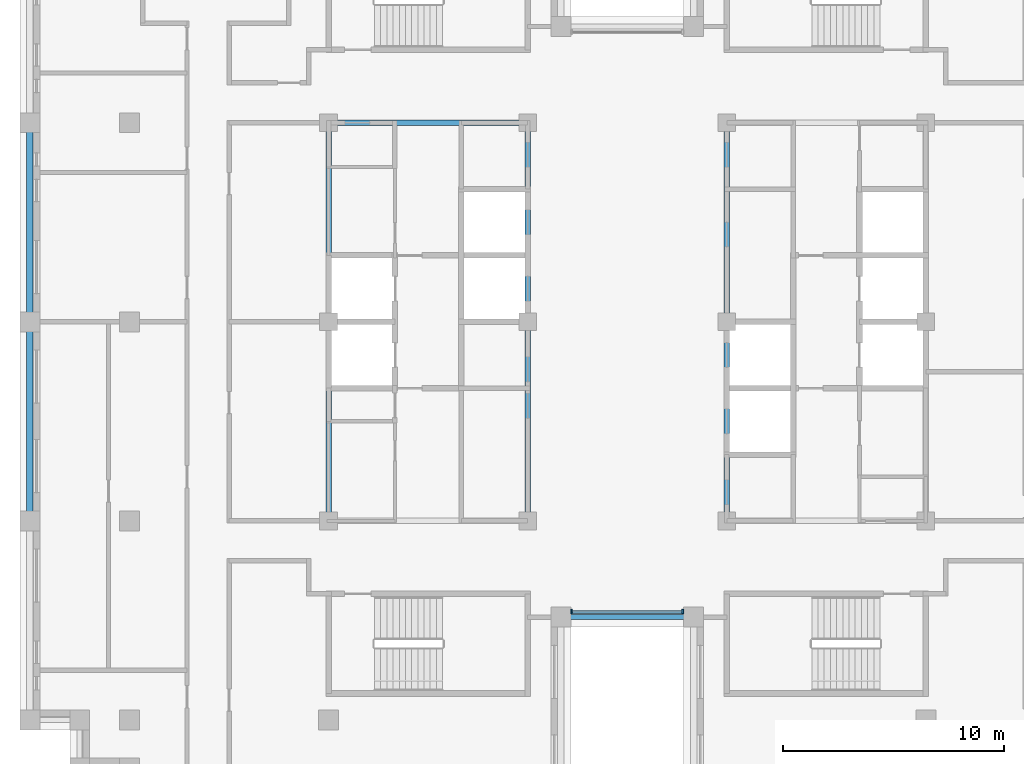
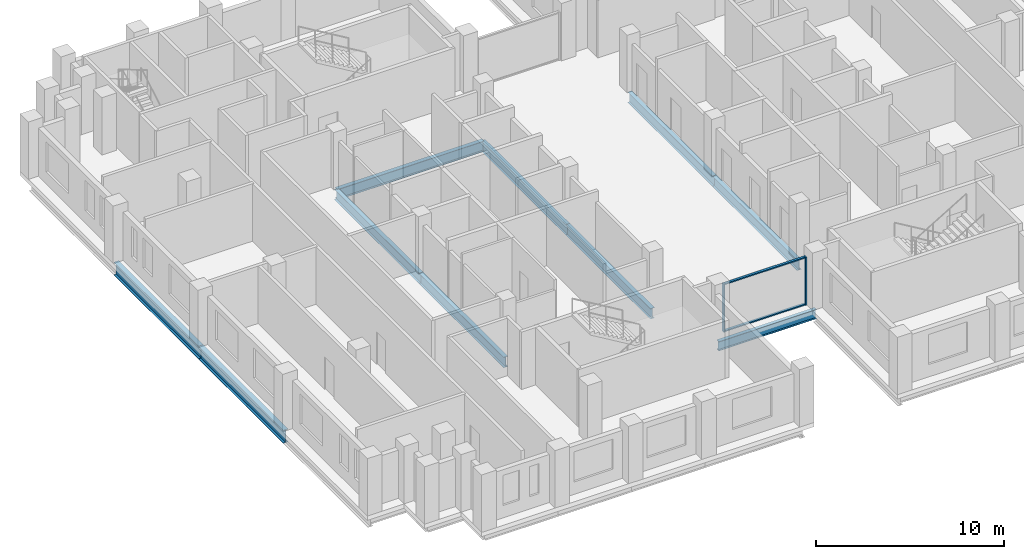
# One storey, part 2 of 13: 10 beams, 4 members, 1 element without a shape of its own.
"""IFC4 building model written with IfcOpenShell, lengths in metres."""

from ifc_helpers import new_model, si_unit, direction, frame, origin, origin_2d, place, context, subcontext, project, spatial, rectangle, i_section, extrude, material, layer, layer_set, material_profile, profile_set, type_object, element, aggregate, save


model = new_model("IFC4")

# Units and contexts
model_context = context("Model", 3, precision=1e-05, world=origin(), true_north=direction((0.0, 1.0)))
body_context = subcontext(model_context, "Body", "Model", "MODEL_VIEW")
ifc_project = project(units=[si_unit("LENGTHUNIT", "METRE"), si_unit("AREAUNIT", "SQUARE_METRE"), si_unit("VOLUMEUNIT", "CUBIC_METRE"), si_unit("PLANEANGLEUNIT", "RADIAN"), si_unit("MASSUNIT", "GRAM", prefix="KILO")], contexts=[model_context])

# Site, building, storey
site_placement = place(None, origin())
site = spatial("IfcSite", under=ifc_project, at=site_placement, CompositionType="ELEMENT")
building_placement = place(site_placement, origin())
building = spatial("IfcBuilding", under=site, at=building_placement, Name="Corbelhall Arena Tower", CompositionType="ELEMENT")
storey_placement = place(building_placement, frame((0.0, 0.0, 266.0)))
storey = spatial("IfcBuildingStorey", under=building, at=storey_placement, Name="L57", CompositionType="ELEMENT", Elevation=266.0)

# Curtain wall, members
ifc_material_1 = material(Name="Aluminium black anodised", Category="aluminium")
ifc_layer = layer(ifc_material_1, 0.199951171875)
ifc_layer_set = layer_set([ifc_layer], Name="EV-CW1 Slot back wall")
curtain_wall_type = type_object("IfcCurtainWallType", Name="EV-CW1 Slot back wall", PredefinedType="NOTDEFINED", material=ifc_layer_set)
curtain_wall_placement = place(storey_placement, origin())
curtain_wall = element("IfcCurtainWall", 1, at=curtain_wall_placement, inside=storey, type_object=curtain_wall_type, Name="Curtain wall CW1", PredefinedType="NOTDEFINED")
ifc_material_profile_1 = material_profile(ifc_material_1, rectangle(XDim=0.199951171875, YDim=0.074951171875, at=origin_2d()))
ifc_profile_set_1 = profile_set([ifc_material_profile_1], Name="Aluminium black anodised")
member_type_1 = type_object("IfcMemberType", Name="EV-CW1-MULLION", PredefinedType="MULLION", material=ifc_profile_set_1)
member_1_placement = place(storey_placement, frame((-2.512451171875, -13.10009765625, 0.0), z_axis=(0.0, 0.0, 1.0), x_axis=(0.0, 1.0, 0.0)))
member_1 = element("IfcMember", 2, at=member_1_placement, type_object=member_type_1, Name="CW1 mullion 1", PredefinedType="MULLION", context=body_context, shape_type="SweptSolid", body=[
    extrude(rectangle(XDim=0.199951171875, YDim=0.074951171875, at=origin_2d()), origin(), (0.0, 0.0, 1.0), 3.1201171875),
])
member_2_placement = place(storey_placement, frame((2.512451171875, -13.10009765625, 0.0), z_axis=(0.0, 0.0, 1.0), x_axis=(0.0, 1.0, 0.0)))
member_2 = element("IfcMember", 3, at=member_2_placement, type_object=member_type_1, Name="CW1 mullion 2", PredefinedType="MULLION", context=body_context, shape_type="SweptSolid", body=[
    extrude(rectangle(XDim=0.199951171875, YDim=0.074951171875, at=origin_2d()), origin(), (0.0, 0.0, 1.0), 3.1201171875),
])
ifc_material_profile_2 = material_profile(ifc_material_1, rectangle(XDim=0.14990234375, YDim=0.074951171875, at=origin_2d()))
ifc_profile_set_2 = profile_set([ifc_material_profile_2], Name="Aluminium black anodised")
member_type_2 = type_object("IfcMemberType", Name="EV-CW1-TRANSOM", PredefinedType="USERDEFINED", material=ifc_profile_set_2)
member_3_placement = place(storey_placement, frame((-2.47509765625, -13.10009765625, 0.03759765625), z_axis=(1.0, 0.0, 0.0), x_axis=(0.0, 1.0, 0.0)))
member_3 = element("IfcMember", 4, at=member_3_placement, type_object=member_type_2, Name="CW1 transom 1.1", ObjectType="transom", PredefinedType="USERDEFINED", context=body_context, shape_type="SweptSolid", body=[
    extrude(rectangle(XDim=0.14990234375, YDim=0.074951171875, at=origin_2d()), origin(), (0.0, 0.0, 1.0), 4.9501953125),
])
member_4_placement = place(storey_placement, frame((-2.47509765625, -13.10009765625, 3.08251953125), z_axis=(1.0, 0.0, 0.0), x_axis=(0.0, 1.0, 0.0)))
member_4 = element("IfcMember", 5, at=member_4_placement, type_object=member_type_2, Name="CW1 transom 1.2", ObjectType="transom", PredefinedType="USERDEFINED", context=body_context, shape_type="SweptSolid", body=[
    extrude(rectangle(XDim=0.14990234375, YDim=0.074951171875, at=origin_2d()), origin(), (0.0, 0.0, 1.0), 4.9501953125),
])
aggregate(curtain_wall, [member_1, member_2, member_3, member_4])

# Beams
ifc_material_2 = material(Name="Steel ASTM A992 Gr50", Category="steel")
ifc_material_profile_3 = material_profile(ifc_material_2, i_section(OverallWidth=0.25390625, OverallDepth=0.67822265625, WebThickness=0.01171875, FlangeThickness=0.016357421875, at=origin_2d()))
ifc_profile_set_3 = profile_set([ifc_material_profile_3], Name="Steel ASTM A992 Gr50")
beam_type_1 = type_object("IfcBeamType", Name="ST-BEAM-W27x84", PredefinedType="BEAM", material=ifc_profile_set_3)
for number, where, z_axis, x_axis, name in (
    (6, (-13.5, -9.0, -0.619140625), (0.0, 1.0, 0.0), (-1.0, 0.0, 0.0), "Beam CEW 1"),
    (7, (-13.5, 0.0, -0.619140625), (0.0, 1.0, 0.0), (-1.0, 0.0, 0.0), "Beam CEW 2"),
    (8, (-4.5, -9.0, -0.619140625), (0.0, 1.0, 0.0), (-1.0, 0.0, 0.0), "Beam CEW 3"),
    (9, (-4.5, 0.0, -0.619140625), (0.0, 1.0, 0.0), (-1.0, 0.0, 0.0), "Beam CEW 4"),
    (10, (-13.5, 9.0, -0.619140625), (1.0, 0.0, 0.0), (0.0, 1.0, 0.0), "Beam CEW 6"),
    (11, (4.5, -9.0, -0.619140625), (0.0, 1.0, 0.0), (-1.0, 0.0, 0.0), "Beam CEE 7"),
    (12, (4.5, 0.0, -0.619140625), (0.0, 1.0, 0.0), (-1.0, 0.0, 0.0), "Beam CEE 8"),
):
    element("IfcBeam", number, at=place(storey_placement, frame(where, z_axis=z_axis, x_axis=x_axis)), inside=storey, type_object=beam_type_1, Name=name, PredefinedType="BEAM", context=body_context, shape_type="SweptSolid", body=[
        extrude(i_section(OverallWidth=0.25390625, OverallDepth=0.67822265625, WebThickness=0.01171875, FlangeThickness=0.016357421875, at=origin_2d()), origin(), (0.0, 0.0, 1.0), 9.0),
    ])
ifc_material_profile_4 = material_profile(ifc_material_2, i_section(OverallWidth=0.227783203125, OverallDepth=0.60205078125, WebThickness=0.010498046875, FlangeThickness=0.014892578125, at=origin_2d()))
ifc_profile_set_4 = profile_set([ifc_material_profile_4], Name="Steel ASTM A992 Gr50")
beam_type_2 = type_object("IfcBeamType", Name="ST-SPANDREL-W24x68", PredefinedType="SPANDREL", material=ifc_profile_set_4)
beam_placement = place(storey_placement, frame((3.0, -13.35009765625, -0.5810546875), z_axis=(-1.0, 0.0, 0.0), x_axis=(0.0, -1.0, 0.0)))
element("IfcBeam", 13, at=beam_placement, inside=storey, type_object=beam_type_2, Name="Beam SP 33", PredefinedType="SPANDREL", context=body_context, shape_type="SweptSolid", body=[
    extrude(i_section(OverallWidth=0.227783203125, OverallDepth=0.60205078125, WebThickness=0.010498046875, FlangeThickness=0.014892578125, at=origin_2d()), origin(), (0.0, 0.0, 1.0), 6.0),
])
ifc_material_profile_5 = material_profile(ifc_material_2, i_section(OverallWidth=0.2919921875, OverallDepth=0.845703125, WebThickness=0.015380859375, FlangeThickness=0.0244140625, at=origin_2d()))
ifc_profile_set_5 = profile_set([ifc_material_profile_5], Name="Steel ASTM A992 Gr50")
beam_type_3 = type_object("IfcBeamType", Name="ST-SPANDREL-W33x141", PredefinedType="SPANDREL", material=ifc_profile_set_5)
for number, where, z_axis, x_axis, name in (
    (14, (-27.0, 0.0, -0.702880859375), (0.0, 1.0, 0.0), (-1.0, 0.0, 0.0), "Beam SP 26"),
    (15, (-27.0, -9.0, -0.702880859375), (0.0, 1.0, 0.0), (-1.0, 0.0, 0.0), "Beam SP 29"),
):
    element("IfcBeam", number, at=place(storey_placement, frame(where, z_axis=z_axis, x_axis=x_axis)), inside=storey, type_object=beam_type_3, Name=name, PredefinedType="SPANDREL", context=body_context, shape_type="SweptSolid", body=[
        extrude(i_section(OverallWidth=0.2919921875, OverallDepth=0.845703125, WebThickness=0.015380859375, FlangeThickness=0.0244140625, at=origin_2d()), origin(), (0.0, 0.0, 1.0), 9.0),
    ])

save(model, "model.ifc")
